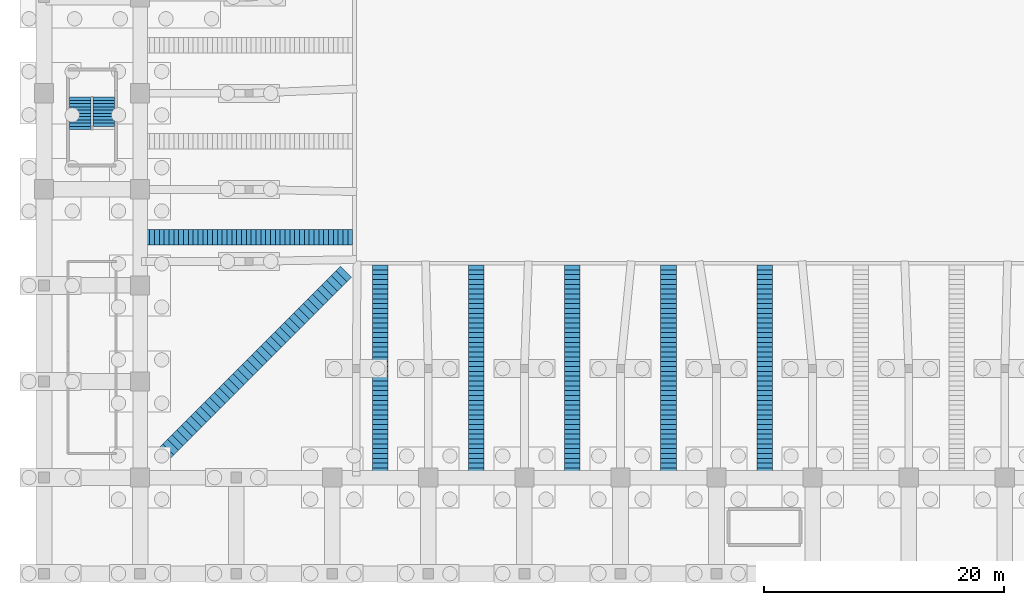
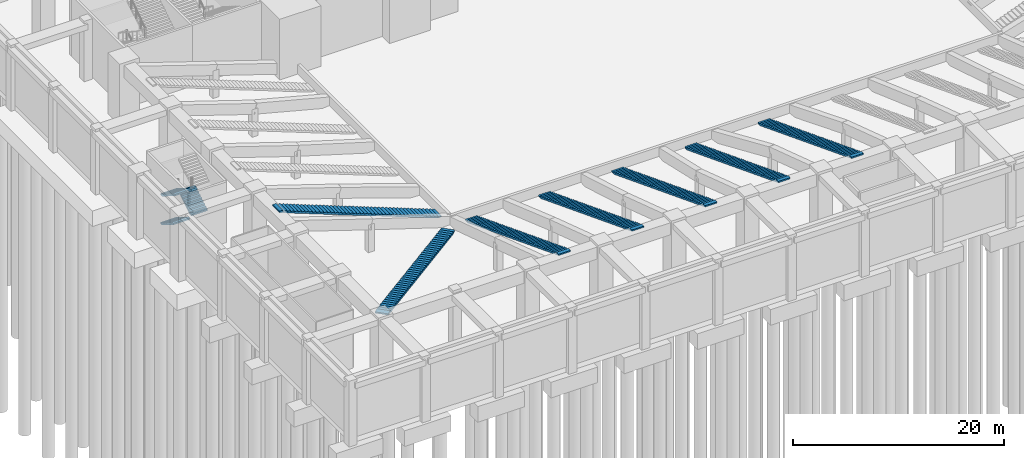
# One storey, part 14 of 30: 10 stair flights, 8 elements without a shape of their own.
"""IFC4 building model written with IfcOpenShell, lengths in metres."""

from ifc_helpers import new_model, si_unit, direction, frame, origin, place, context, subcontext, project, spatial, polyline, outline, extrude, material, type_object, element, aggregate, save


model = new_model("IFC4")

# Units and contexts
model_context = context("Model", 3, precision=1e-05, world=origin(), true_north=direction((0.0, 1.0)))
body_context = subcontext(model_context, "Body", "Model", "MODEL_VIEW")
ifc_project = project(units=[si_unit("LENGTHUNIT", "METRE"), si_unit("AREAUNIT", "SQUARE_METRE"), si_unit("VOLUMEUNIT", "CUBIC_METRE"), si_unit("PLANEANGLEUNIT", "RADIAN"), si_unit("MASSUNIT", "GRAM", prefix="KILO")], contexts=[model_context])

# Site, building, storey
site_placement = place(None, origin())
site = spatial("IfcSite", under=ifc_project, at=site_placement, CompositionType="ELEMENT")
building_placement = place(site_placement, origin())
building = spatial("IfcBuilding", under=site, at=building_placement, Name="Isbrekke Arena Tower", CompositionType="ELEMENT")
storey_placement = place(building_placement, frame((0.0, 0.0, -7.0)))
storey = spatial("IfcBuildingStorey", under=building, at=storey_placement, Name="B1", CompositionType="ELEMENT", Elevation=-7.0)

# Stair, stair flight
ifc_material_1 = material(Name="Concrete B45 (C45/55) precast", Category="concrete")
stair_type_1 = type_object("IfcStairType", Name="AS402 AISLE STAIR 1300 WIDE, 45 RISERS 155", PredefinedType="STRAIGHT_RUN_STAIR", material=ifc_material_1)
stair_1_placement = place(storey_placement, origin())
stair_1 = element("IfcStair", 1, at=stair_1_placement, inside=storey, type_object=stair_type_1, Name="AW46 aisle stair", PredefinedType="STRAIGHT_RUN_STAIR")
ifc_material_2 = material(Name="Concrete B45 (C45/55) precast", Category="concrete")
stair_flight_type_1 = type_object("IfcStairFlightType", Name="AF 1300 AISLE FLIGHT 402", PredefinedType="STRAIGHT", material=ifc_material_2)
stair_flight_1_placement = place(storey_placement, frame((-30.300048828125, -46.0, 0.0), z_axis=(0.0, 0.0, 1.0), x_axis=(-1.0, 0.0, 0.0)))
stair_flight_1 = element("IfcStairFlight", 2, at=stair_flight_1_placement, type_object=stair_flight_type_1, Name="AW46 flight 1", NumberOfRisers=45, NumberOfTreads=44, PredefinedType="STRAIGHT", RiserHeight=0.155555556, TreadLength=0.4023, context=body_context, shape_type="SweptSolid", body=[
    extrude(outline(polyline([(0.0, 0.0), (0.0, 0.155517578125), (0.40234375, 0.155517578125), (0.40234375, 0.31103515625), (0.8046875, 0.31103515625), (0.8046875, 0.466552734375), (1.206787109375, 0.466552734375), (1.206787109375, 0.622314453125), (1.609130859375, 0.622314453125), (1.609130859375, 0.77783203125), (2.011474609375, 0.77783203125), (2.011474609375, 0.933349609375), (2.413818359375, 0.933349609375), (2.413818359375, 1.0888671875), (2.816162109375, 1.0888671875), (2.816162109375, 1.244384765625), (3.218505859375, 1.244384765625), (3.218505859375, 1.39990234375), (3.62060546875, 1.39990234375), (3.62060546875, 1.5556640625), (4.02294921875, 1.5556640625), (4.02294921875, 1.711181640625), (4.42529296875, 1.711181640625), (4.42529296875, 1.86669921875), (4.82763671875, 1.86669921875), (4.82763671875, 2.022216796875), (5.22998046875, 2.022216796875), (5.22998046875, 2.177734375), (5.632080078125, 2.177734375), (5.632080078125, 2.333251953125), (6.034423828125, 2.333251953125), (6.034423828125, 2.48876953125), (6.436767578125, 2.48876953125), (6.436767578125, 2.64453125), (6.839111328125, 2.64453125), (6.839111328125, 2.800048828125), (7.241455078125, 2.800048828125), (7.241455078125, 2.95556640625), (7.643798828125, 2.95556640625), (7.643798828125, 3.111083984375), (8.0458984375, 3.111083984375), (8.0458984375, 3.2666015625), (8.4482421875, 3.2666015625), (8.4482421875, 3.422119140625), (8.8505859375, 3.422119140625), (8.8505859375, 3.577880859375), (9.2529296875, 3.577880859375), (9.2529296875, 3.7333984375), (9.6552734375, 3.7333984375), (9.6552734375, 3.888916015625), (10.0576171875, 3.888916015625), (10.0576171875, 4.04443359375), (10.459716796875, 4.04443359375), (10.459716796875, 4.199951171875), (10.862060546875, 4.199951171875), (10.862060546875, 4.35546875), (11.264404296875, 4.35546875), (11.264404296875, 4.51123046875), (11.666748046875, 4.51123046875), (11.666748046875, 4.666748046875), (12.069091796875, 4.666748046875), (12.069091796875, 4.822265625), (12.47119140625, 4.822265625), (12.47119140625, 4.977783203125), (12.87353515625, 4.977783203125), (12.87353515625, 5.13330078125), (13.27587890625, 5.13330078125), (13.27587890625, 5.288818359375), (13.67822265625, 5.288818359375), (13.67822265625, 5.4443359375), (14.08056640625, 5.4443359375), (14.08056640625, 5.60009765625), (14.48291015625, 5.60009765625), (14.48291015625, 5.755615234375), (14.885009765625, 5.755615234375), (14.885009765625, 5.9111328125), (15.287353515625, 5.9111328125), (15.287353515625, 6.066650390625), (15.689697265625, 6.066650390625), (15.689697265625, 6.22216796875), (16.092041015625, 6.22216796875), (16.092041015625, 6.377685546875), (16.494384765625, 6.377685546875), (16.494384765625, 6.533447265625), (16.896484375, 6.533447265625), (16.896484375, 6.68896484375), (17.298828125, 6.68896484375), (17.298828125, 6.844482421875), (17.701171875, 6.844482421875), (17.701171875, 7.0), (17.701171875, 6.683837890625), (0.415771484375, 0.0), (0.0, 0.0)])), frame((0.0, 0.64990234375, 0.0), z_axis=(0.0, -1.0, 0.0), x_axis=(1.0, 0.0, 0.0)), (0.0, 0.0, 1.0), 1.300048828125),
])
aggregate(stair_1, [stair_flight_1])

stair_2_placement = place(storey_placement, origin())
stair_2 = element("IfcStair", 3, at=stair_2_placement, inside=storey, type_object=stair_type_1, Name="AS-28 aisle stair", PredefinedType="STRAIGHT_RUN_STAIR")
stair_flight_2_placement = place(storey_placement, frame((-28.0, -48.300048828125, 0.0), z_axis=(0.0, 0.0, 1.0), x_axis=(0.0, -1.0, 0.0)))
stair_flight_2 = element("IfcStairFlight", 4, at=stair_flight_2_placement, type_object=stair_flight_type_1, Name="AS-28 flight 1", NumberOfRisers=45, NumberOfTreads=44, PredefinedType="STRAIGHT", RiserHeight=0.155555556, TreadLength=0.4023, context=body_context, shape_type="SweptSolid", body=[
    extrude(outline(polyline([(0.0, 0.0), (0.0, 0.155517578125), (0.40234375, 0.155517578125), (0.40234375, 0.31103515625), (0.8046875, 0.31103515625), (0.8046875, 0.466552734375), (1.206787109375, 0.466552734375), (1.206787109375, 0.622314453125), (1.609130859375, 0.622314453125), (1.609130859375, 0.77783203125), (2.011474609375, 0.77783203125), (2.011474609375, 0.933349609375), (2.413818359375, 0.933349609375), (2.413818359375, 1.0888671875), (2.816162109375, 1.0888671875), (2.816162109375, 1.244384765625), (3.218505859375, 1.244384765625), (3.218505859375, 1.39990234375), (3.62060546875, 1.39990234375), (3.62060546875, 1.5556640625), (4.02294921875, 1.5556640625), (4.02294921875, 1.711181640625), (4.42529296875, 1.711181640625), (4.42529296875, 1.86669921875), (4.82763671875, 1.86669921875), (4.82763671875, 2.022216796875), (5.22998046875, 2.022216796875), (5.22998046875, 2.177734375), (5.632080078125, 2.177734375), (5.632080078125, 2.333251953125), (6.034423828125, 2.333251953125), (6.034423828125, 2.48876953125), (6.436767578125, 2.48876953125), (6.436767578125, 2.64453125), (6.839111328125, 2.64453125), (6.839111328125, 2.800048828125), (7.241455078125, 2.800048828125), (7.241455078125, 2.95556640625), (7.643798828125, 2.95556640625), (7.643798828125, 3.111083984375), (8.0458984375, 3.111083984375), (8.0458984375, 3.2666015625), (8.4482421875, 3.2666015625), (8.4482421875, 3.422119140625), (8.8505859375, 3.422119140625), (8.8505859375, 3.577880859375), (9.2529296875, 3.577880859375), (9.2529296875, 3.7333984375), (9.6552734375, 3.7333984375), (9.6552734375, 3.888916015625), (10.0576171875, 3.888916015625), (10.0576171875, 4.04443359375), (10.459716796875, 4.04443359375), (10.459716796875, 4.199951171875), (10.862060546875, 4.199951171875), (10.862060546875, 4.35546875), (11.264404296875, 4.35546875), (11.264404296875, 4.51123046875), (11.666748046875, 4.51123046875), (11.666748046875, 4.666748046875), (12.069091796875, 4.666748046875), (12.069091796875, 4.822265625), (12.47119140625, 4.822265625), (12.47119140625, 4.977783203125), (12.87353515625, 4.977783203125), (12.87353515625, 5.13330078125), (13.27587890625, 5.13330078125), (13.27587890625, 5.288818359375), (13.67822265625, 5.288818359375), (13.67822265625, 5.4443359375), (14.08056640625, 5.4443359375), (14.08056640625, 5.60009765625), (14.48291015625, 5.60009765625), (14.48291015625, 5.755615234375), (14.885009765625, 5.755615234375), (14.885009765625, 5.9111328125), (15.287353515625, 5.9111328125), (15.287353515625, 6.066650390625), (15.689697265625, 6.066650390625), (15.689697265625, 6.22216796875), (16.092041015625, 6.22216796875), (16.092041015625, 6.377685546875), (16.494384765625, 6.377685546875), (16.494384765625, 6.533447265625), (16.896484375, 6.533447265625), (16.896484375, 6.68896484375), (17.298828125, 6.68896484375), (17.298828125, 6.844482421875), (17.701171875, 6.844482421875), (17.701171875, 7.0), (17.701171875, 6.683837890625), (0.415771484375, 0.0), (0.0, 0.0)])), frame((0.0, 0.64990234375, 0.0), z_axis=(0.0, -1.0, 0.0), x_axis=(1.0, 0.0, 0.0)), (0.0, 0.0, 1.0), 1.300048828125),
])
aggregate(stair_2, [stair_flight_2])

stair_3_placement = place(storey_placement, origin())
stair_3 = element("IfcStair", 5, at=stair_3_placement, inside=storey, type_object=stair_type_1, Name="AS-20 aisle stair", PredefinedType="STRAIGHT_RUN_STAIR")
stair_flight_3_placement = place(storey_placement, frame((-20.0, -48.300048828125, 0.0), z_axis=(0.0, 0.0, 1.0), x_axis=(0.0, -1.0, 0.0)))
stair_flight_3 = element("IfcStairFlight", 6, at=stair_flight_3_placement, type_object=stair_flight_type_1, Name="AS-20 flight 1", NumberOfRisers=45, NumberOfTreads=44, PredefinedType="STRAIGHT", RiserHeight=0.155555556, TreadLength=0.4023, context=body_context, shape_type="SweptSolid", body=[
    extrude(outline(polyline([(0.0, 0.0), (0.0, 0.155517578125), (0.40234375, 0.155517578125), (0.40234375, 0.31103515625), (0.8046875, 0.31103515625), (0.8046875, 0.466552734375), (1.206787109375, 0.466552734375), (1.206787109375, 0.622314453125), (1.609130859375, 0.622314453125), (1.609130859375, 0.77783203125), (2.011474609375, 0.77783203125), (2.011474609375, 0.933349609375), (2.413818359375, 0.933349609375), (2.413818359375, 1.0888671875), (2.816162109375, 1.0888671875), (2.816162109375, 1.244384765625), (3.218505859375, 1.244384765625), (3.218505859375, 1.39990234375), (3.62060546875, 1.39990234375), (3.62060546875, 1.5556640625), (4.02294921875, 1.5556640625), (4.02294921875, 1.711181640625), (4.42529296875, 1.711181640625), (4.42529296875, 1.86669921875), (4.82763671875, 1.86669921875), (4.82763671875, 2.022216796875), (5.22998046875, 2.022216796875), (5.22998046875, 2.177734375), (5.632080078125, 2.177734375), (5.632080078125, 2.333251953125), (6.034423828125, 2.333251953125), (6.034423828125, 2.48876953125), (6.436767578125, 2.48876953125), (6.436767578125, 2.64453125), (6.839111328125, 2.64453125), (6.839111328125, 2.800048828125), (7.241455078125, 2.800048828125), (7.241455078125, 2.95556640625), (7.643798828125, 2.95556640625), (7.643798828125, 3.111083984375), (8.0458984375, 3.111083984375), (8.0458984375, 3.2666015625), (8.4482421875, 3.2666015625), (8.4482421875, 3.422119140625), (8.8505859375, 3.422119140625), (8.8505859375, 3.577880859375), (9.2529296875, 3.577880859375), (9.2529296875, 3.7333984375), (9.6552734375, 3.7333984375), (9.6552734375, 3.888916015625), (10.0576171875, 3.888916015625), (10.0576171875, 4.04443359375), (10.459716796875, 4.04443359375), (10.459716796875, 4.199951171875), (10.862060546875, 4.199951171875), (10.862060546875, 4.35546875), (11.264404296875, 4.35546875), (11.264404296875, 4.51123046875), (11.666748046875, 4.51123046875), (11.666748046875, 4.666748046875), (12.069091796875, 4.666748046875), (12.069091796875, 4.822265625), (12.47119140625, 4.822265625), (12.47119140625, 4.977783203125), (12.87353515625, 4.977783203125), (12.87353515625, 5.13330078125), (13.27587890625, 5.13330078125), (13.27587890625, 5.288818359375), (13.67822265625, 5.288818359375), (13.67822265625, 5.4443359375), (14.08056640625, 5.4443359375), (14.08056640625, 5.60009765625), (14.48291015625, 5.60009765625), (14.48291015625, 5.755615234375), (14.885009765625, 5.755615234375), (14.885009765625, 5.9111328125), (15.287353515625, 5.9111328125), (15.287353515625, 6.066650390625), (15.689697265625, 6.066650390625), (15.689697265625, 6.22216796875), (16.092041015625, 6.22216796875), (16.092041015625, 6.377685546875), (16.494384765625, 6.377685546875), (16.494384765625, 6.533447265625), (16.896484375, 6.533447265625), (16.896484375, 6.68896484375), (17.298828125, 6.68896484375), (17.298828125, 6.844482421875), (17.701171875, 6.844482421875), (17.701171875, 7.0), (17.701171875, 6.683837890625), (0.415771484375, 0.0), (0.0, 0.0)])), frame((0.0, 0.64990234375, 0.0), z_axis=(0.0, -1.0, 0.0), x_axis=(1.0, 0.0, 0.0)), (0.0, 0.0, 1.0), 1.300048828125),
])
aggregate(stair_3, [stair_flight_3])

stair_4_placement = place(storey_placement, origin())
stair_4 = element("IfcStair", 7, at=stair_4_placement, inside=storey, type_object=stair_type_1, Name="AS-12 aisle stair", PredefinedType="STRAIGHT_RUN_STAIR")
stair_flight_4_placement = place(storey_placement, frame((-12.0, -48.300048828125, 0.0), z_axis=(0.0, 0.0, 1.0), x_axis=(0.0, -1.0, 0.0)))
stair_flight_4 = element("IfcStairFlight", 8, at=stair_flight_4_placement, type_object=stair_flight_type_1, Name="AS-12 flight 1", NumberOfRisers=45, NumberOfTreads=44, PredefinedType="STRAIGHT", RiserHeight=0.155555556, TreadLength=0.4023, context=body_context, shape_type="SweptSolid", body=[
    extrude(outline(polyline([(0.0, 0.0), (0.0, 0.155517578125), (0.40234375, 0.155517578125), (0.40234375, 0.31103515625), (0.8046875, 0.31103515625), (0.8046875, 0.466552734375), (1.206787109375, 0.466552734375), (1.206787109375, 0.622314453125), (1.609130859375, 0.622314453125), (1.609130859375, 0.77783203125), (2.011474609375, 0.77783203125), (2.011474609375, 0.933349609375), (2.413818359375, 0.933349609375), (2.413818359375, 1.0888671875), (2.816162109375, 1.0888671875), (2.816162109375, 1.244384765625), (3.218505859375, 1.244384765625), (3.218505859375, 1.39990234375), (3.62060546875, 1.39990234375), (3.62060546875, 1.5556640625), (4.02294921875, 1.5556640625), (4.02294921875, 1.711181640625), (4.42529296875, 1.711181640625), (4.42529296875, 1.86669921875), (4.82763671875, 1.86669921875), (4.82763671875, 2.022216796875), (5.22998046875, 2.022216796875), (5.22998046875, 2.177734375), (5.632080078125, 2.177734375), (5.632080078125, 2.333251953125), (6.034423828125, 2.333251953125), (6.034423828125, 2.48876953125), (6.436767578125, 2.48876953125), (6.436767578125, 2.64453125), (6.839111328125, 2.64453125), (6.839111328125, 2.800048828125), (7.241455078125, 2.800048828125), (7.241455078125, 2.95556640625), (7.643798828125, 2.95556640625), (7.643798828125, 3.111083984375), (8.0458984375, 3.111083984375), (8.0458984375, 3.2666015625), (8.4482421875, 3.2666015625), (8.4482421875, 3.422119140625), (8.8505859375, 3.422119140625), (8.8505859375, 3.577880859375), (9.2529296875, 3.577880859375), (9.2529296875, 3.7333984375), (9.6552734375, 3.7333984375), (9.6552734375, 3.888916015625), (10.0576171875, 3.888916015625), (10.0576171875, 4.04443359375), (10.459716796875, 4.04443359375), (10.459716796875, 4.199951171875), (10.862060546875, 4.199951171875), (10.862060546875, 4.35546875), (11.264404296875, 4.35546875), (11.264404296875, 4.51123046875), (11.666748046875, 4.51123046875), (11.666748046875, 4.666748046875), (12.069091796875, 4.666748046875), (12.069091796875, 4.822265625), (12.47119140625, 4.822265625), (12.47119140625, 4.977783203125), (12.87353515625, 4.977783203125), (12.87353515625, 5.13330078125), (13.27587890625, 5.13330078125), (13.27587890625, 5.288818359375), (13.67822265625, 5.288818359375), (13.67822265625, 5.4443359375), (14.08056640625, 5.4443359375), (14.08056640625, 5.60009765625), (14.48291015625, 5.60009765625), (14.48291015625, 5.755615234375), (14.885009765625, 5.755615234375), (14.885009765625, 5.9111328125), (15.287353515625, 5.9111328125), (15.287353515625, 6.066650390625), (15.689697265625, 6.066650390625), (15.689697265625, 6.22216796875), (16.092041015625, 6.22216796875), (16.092041015625, 6.377685546875), (16.494384765625, 6.377685546875), (16.494384765625, 6.533447265625), (16.896484375, 6.533447265625), (16.896484375, 6.68896484375), (17.298828125, 6.68896484375), (17.298828125, 6.844482421875), (17.701171875, 6.844482421875), (17.701171875, 7.0), (17.701171875, 6.683837890625), (0.415771484375, 0.0), (0.0, 0.0)])), frame((0.0, 0.64990234375, 0.0), z_axis=(0.0, -1.0, 0.0), x_axis=(1.0, 0.0, 0.0)), (0.0, 0.0, 1.0), 1.300048828125),
])
aggregate(stair_4, [stair_flight_4])

stair_5_placement = place(storey_placement, origin())
stair_5 = element("IfcStair", 9, at=stair_5_placement, inside=storey, type_object=stair_type_1, Name="AS-4 aisle stair", PredefinedType="STRAIGHT_RUN_STAIR")
stair_flight_5_placement = place(storey_placement, frame((-4.0, -48.300048828125, 0.0), z_axis=(0.0, 0.0, 1.0), x_axis=(0.0, -1.0, 0.0)))
stair_flight_5 = element("IfcStairFlight", 10, at=stair_flight_5_placement, type_object=stair_flight_type_1, Name="AS-4 flight 1", NumberOfRisers=45, NumberOfTreads=44, PredefinedType="STRAIGHT", RiserHeight=0.155555556, TreadLength=0.4023, context=body_context, shape_type="SweptSolid", body=[
    extrude(outline(polyline([(0.0, 0.0), (0.0, 0.155517578125), (0.40234375, 0.155517578125), (0.40234375, 0.31103515625), (0.8046875, 0.31103515625), (0.8046875, 0.466552734375), (1.206787109375, 0.466552734375), (1.206787109375, 0.622314453125), (1.609130859375, 0.622314453125), (1.609130859375, 0.77783203125), (2.011474609375, 0.77783203125), (2.011474609375, 0.933349609375), (2.413818359375, 0.933349609375), (2.413818359375, 1.0888671875), (2.816162109375, 1.0888671875), (2.816162109375, 1.244384765625), (3.218505859375, 1.244384765625), (3.218505859375, 1.39990234375), (3.62060546875, 1.39990234375), (3.62060546875, 1.5556640625), (4.02294921875, 1.5556640625), (4.02294921875, 1.711181640625), (4.42529296875, 1.711181640625), (4.42529296875, 1.86669921875), (4.82763671875, 1.86669921875), (4.82763671875, 2.022216796875), (5.22998046875, 2.022216796875), (5.22998046875, 2.177734375), (5.632080078125, 2.177734375), (5.632080078125, 2.333251953125), (6.034423828125, 2.333251953125), (6.034423828125, 2.48876953125), (6.436767578125, 2.48876953125), (6.436767578125, 2.64453125), (6.839111328125, 2.64453125), (6.839111328125, 2.800048828125), (7.241455078125, 2.800048828125), (7.241455078125, 2.95556640625), (7.643798828125, 2.95556640625), (7.643798828125, 3.111083984375), (8.0458984375, 3.111083984375), (8.0458984375, 3.2666015625), (8.4482421875, 3.2666015625), (8.4482421875, 3.422119140625), (8.8505859375, 3.422119140625), (8.8505859375, 3.577880859375), (9.2529296875, 3.577880859375), (9.2529296875, 3.7333984375), (9.6552734375, 3.7333984375), (9.6552734375, 3.888916015625), (10.0576171875, 3.888916015625), (10.0576171875, 4.04443359375), (10.459716796875, 4.04443359375), (10.459716796875, 4.199951171875), (10.862060546875, 4.199951171875), (10.862060546875, 4.35546875), (11.264404296875, 4.35546875), (11.264404296875, 4.51123046875), (11.666748046875, 4.51123046875), (11.666748046875, 4.666748046875), (12.069091796875, 4.666748046875), (12.069091796875, 4.822265625), (12.47119140625, 4.822265625), (12.47119140625, 4.977783203125), (12.87353515625, 4.977783203125), (12.87353515625, 5.13330078125), (13.27587890625, 5.13330078125), (13.27587890625, 5.288818359375), (13.67822265625, 5.288818359375), (13.67822265625, 5.4443359375), (14.08056640625, 5.4443359375), (14.08056640625, 5.60009765625), (14.48291015625, 5.60009765625), (14.48291015625, 5.755615234375), (14.885009765625, 5.755615234375), (14.885009765625, 5.9111328125), (15.287353515625, 5.9111328125), (15.287353515625, 6.066650390625), (15.689697265625, 6.066650390625), (15.689697265625, 6.22216796875), (16.092041015625, 6.22216796875), (16.092041015625, 6.377685546875), (16.494384765625, 6.377685546875), (16.494384765625, 6.533447265625), (16.896484375, 6.533447265625), (16.896484375, 6.68896484375), (17.298828125, 6.68896484375), (17.298828125, 6.844482421875), (17.701171875, 6.844482421875), (17.701171875, 7.0), (17.701171875, 6.683837890625), (0.415771484375, 0.0), (0.0, 0.0)])), frame((0.0, 0.64990234375, 0.0), z_axis=(0.0, -1.0, 0.0), x_axis=(1.0, 0.0, 0.0)), (0.0, 0.0, 1.0), 1.300048828125),
])
aggregate(stair_5, [stair_flight_5])

stair_6_placement = place(storey_placement, origin())
stair_6 = element("IfcStair", 11, at=stair_6_placement, inside=storey, type_object=stair_type_1, Name="AS+4 aisle stair", PredefinedType="STRAIGHT_RUN_STAIR")
stair_flight_6_placement = place(storey_placement, frame((4.0, -48.300048828125, 0.0), z_axis=(0.0, 0.0, 1.0), x_axis=(0.0, -1.0, 0.0)))
stair_flight_6 = element("IfcStairFlight", 12, at=stair_flight_6_placement, type_object=stair_flight_type_1, Name="AS+4 flight 1", NumberOfRisers=45, NumberOfTreads=44, PredefinedType="STRAIGHT", RiserHeight=0.155555556, TreadLength=0.4023, context=body_context, shape_type="SweptSolid", body=[
    extrude(outline(polyline([(0.0, 0.0), (0.0, 0.155517578125), (0.40234375, 0.155517578125), (0.40234375, 0.31103515625), (0.8046875, 0.31103515625), (0.8046875, 0.466552734375), (1.206787109375, 0.466552734375), (1.206787109375, 0.622314453125), (1.609130859375, 0.622314453125), (1.609130859375, 0.77783203125), (2.011474609375, 0.77783203125), (2.011474609375, 0.933349609375), (2.413818359375, 0.933349609375), (2.413818359375, 1.0888671875), (2.816162109375, 1.0888671875), (2.816162109375, 1.244384765625), (3.218505859375, 1.244384765625), (3.218505859375, 1.39990234375), (3.62060546875, 1.39990234375), (3.62060546875, 1.5556640625), (4.02294921875, 1.5556640625), (4.02294921875, 1.711181640625), (4.42529296875, 1.711181640625), (4.42529296875, 1.86669921875), (4.82763671875, 1.86669921875), (4.82763671875, 2.022216796875), (5.22998046875, 2.022216796875), (5.22998046875, 2.177734375), (5.632080078125, 2.177734375), (5.632080078125, 2.333251953125), (6.034423828125, 2.333251953125), (6.034423828125, 2.48876953125), (6.436767578125, 2.48876953125), (6.436767578125, 2.64453125), (6.839111328125, 2.64453125), (6.839111328125, 2.800048828125), (7.241455078125, 2.800048828125), (7.241455078125, 2.95556640625), (7.643798828125, 2.95556640625), (7.643798828125, 3.111083984375), (8.0458984375, 3.111083984375), (8.0458984375, 3.2666015625), (8.4482421875, 3.2666015625), (8.4482421875, 3.422119140625), (8.8505859375, 3.422119140625), (8.8505859375, 3.577880859375), (9.2529296875, 3.577880859375), (9.2529296875, 3.7333984375), (9.6552734375, 3.7333984375), (9.6552734375, 3.888916015625), (10.0576171875, 3.888916015625), (10.0576171875, 4.04443359375), (10.459716796875, 4.04443359375), (10.459716796875, 4.199951171875), (10.862060546875, 4.199951171875), (10.862060546875, 4.35546875), (11.264404296875, 4.35546875), (11.264404296875, 4.51123046875), (11.666748046875, 4.51123046875), (11.666748046875, 4.666748046875), (12.069091796875, 4.666748046875), (12.069091796875, 4.822265625), (12.47119140625, 4.822265625), (12.47119140625, 4.977783203125), (12.87353515625, 4.977783203125), (12.87353515625, 5.13330078125), (13.27587890625, 5.13330078125), (13.27587890625, 5.288818359375), (13.67822265625, 5.288818359375), (13.67822265625, 5.4443359375), (14.08056640625, 5.4443359375), (14.08056640625, 5.60009765625), (14.48291015625, 5.60009765625), (14.48291015625, 5.755615234375), (14.885009765625, 5.755615234375), (14.885009765625, 5.9111328125), (15.287353515625, 5.9111328125), (15.287353515625, 6.066650390625), (15.689697265625, 6.066650390625), (15.689697265625, 6.22216796875), (16.092041015625, 6.22216796875), (16.092041015625, 6.377685546875), (16.494384765625, 6.377685546875), (16.494384765625, 6.533447265625), (16.896484375, 6.533447265625), (16.896484375, 6.68896484375), (17.298828125, 6.68896484375), (17.298828125, 6.844482421875), (17.701171875, 6.844482421875), (17.701171875, 7.0), (17.701171875, 6.683837890625), (0.415771484375, 0.0), (0.0, 0.0)])), frame((0.0, 0.64990234375, 0.0), z_axis=(0.0, -1.0, 0.0), x_axis=(1.0, 0.0, 0.0)), (0.0, 0.0, 1.0), 1.300048828125),
])
aggregate(stair_6, [stair_flight_6])

ifc_material_3 = material(Name="Concrete B45 (C45/55) precast", Category="concrete")
stair_type_2 = type_object("IfcStairType", Name="AS551 AISLE STAIR 1300 WIDE, 45 RISERS 155", PredefinedType="STRAIGHT_RUN_STAIR", material=ifc_material_3)
stair_7_placement = place(storey_placement, origin())
stair_7 = element("IfcStair", 13, at=stair_7_placement, inside=storey, type_object=stair_type_2, Name="ASW aisle stair", PredefinedType="STRAIGHT_RUN_STAIR")
ifc_material_4 = material(Name="Concrete B45 (C45/55) precast", Category="concrete")
stair_flight_type_2 = type_object("IfcStairFlightType", Name="AF 1300 AISLE FLIGHT 551", PredefinedType="STRAIGHT", material=ifc_material_4)
stair_flight_7_placement = place(storey_placement, frame((-30.85009765625, -48.85009765625, 0.0), z_axis=(0.0, 0.0, 1.0), x_axis=(-0.707106781187, -0.707106781187, 0.0)))
stair_flight_7 = element("IfcStairFlight", 14, at=stair_flight_7_placement, type_object=stair_flight_type_2, Name="ASW flight 1", NumberOfRisers=45, NumberOfTreads=44, PredefinedType="STRAIGHT", RiserHeight=0.155555556, TreadLength=0.5512, context=body_context, shape_type="SweptSolid", body=[
    extrude(outline(polyline([(0.0, 0.0), (0.0, 0.155517578125), (0.55126953125, 0.155517578125), (0.55126953125, 0.31103515625), (1.102294921875, 0.31103515625), (1.102294921875, 0.466552734375), (1.653564453125, 0.466552734375), (1.653564453125, 0.622314453125), (2.204833984375, 0.622314453125), (2.204833984375, 0.77783203125), (2.756103515625, 0.77783203125), (2.756103515625, 0.933349609375), (3.30712890625, 0.933349609375), (3.30712890625, 1.0888671875), (3.8583984375, 1.0888671875), (3.8583984375, 1.244384765625), (4.40966796875, 1.244384765625), (4.40966796875, 1.39990234375), (4.960693359375, 1.39990234375), (4.960693359375, 1.5556640625), (5.511962890625, 1.5556640625), (5.511962890625, 1.711181640625), (6.063232421875, 1.711181640625), (6.063232421875, 1.86669921875), (6.614501953125, 1.86669921875), (6.614501953125, 2.022216796875), (7.16552734375, 2.022216796875), (7.16552734375, 2.177734375), (7.716796875, 2.177734375), (7.716796875, 2.333251953125), (8.26806640625, 2.333251953125), (8.26806640625, 2.48876953125), (8.819091796875, 2.48876953125), (8.819091796875, 2.64453125), (9.370361328125, 2.64453125), (9.370361328125, 2.800048828125), (9.921630859375, 2.800048828125), (9.921630859375, 2.95556640625), (10.472900390625, 2.95556640625), (10.472900390625, 3.111083984375), (11.02392578125, 3.111083984375), (11.02392578125, 3.2666015625), (11.5751953125, 3.2666015625), (11.5751953125, 3.422119140625), (12.12646484375, 3.422119140625), (12.12646484375, 3.577880859375), (12.677490234375, 3.577880859375), (12.677490234375, 3.7333984375), (13.228759765625, 3.7333984375), (13.228759765625, 3.888916015625), (13.780029296875, 3.888916015625), (13.780029296875, 4.04443359375), (14.331298828125, 4.04443359375), (14.331298828125, 4.199951171875), (14.88232421875, 4.199951171875), (14.88232421875, 4.35546875), (15.43359375, 4.35546875), (15.43359375, 4.51123046875), (15.98486328125, 4.51123046875), (15.98486328125, 4.666748046875), (16.535888671875, 4.666748046875), (16.535888671875, 4.822265625), (17.087158203125, 4.822265625), (17.087158203125, 4.977783203125), (17.638427734375, 4.977783203125), (17.638427734375, 5.13330078125), (18.189697265625, 5.13330078125), (18.189697265625, 5.288818359375), (18.74072265625, 5.288818359375), (18.74072265625, 5.4443359375), (19.2919921875, 5.4443359375), (19.2919921875, 5.60009765625), (19.84326171875, 5.60009765625), (19.84326171875, 5.755615234375), (20.394287109375, 5.755615234375), (20.394287109375, 5.9111328125), (20.945556640625, 5.9111328125), (20.945556640625, 6.066650390625), (21.496826171875, 6.066650390625), (21.496826171875, 6.22216796875), (22.048095703125, 6.22216796875), (22.048095703125, 6.377685546875), (22.59912109375, 6.377685546875), (22.59912109375, 6.533447265625), (23.150390625, 6.533447265625), (23.150390625, 6.68896484375), (23.70166015625, 6.68896484375), (23.70166015625, 6.844482421875), (24.252685546875, 6.844482421875), (24.252685546875, 7.0), (24.252685546875, 6.688720703125), (0.552001953125, 0.0), (0.0, 0.0)])), frame((0.0, 0.64990234375, 0.0), z_axis=(0.0, -1.0, 0.0), x_axis=(1.0, 0.0, 0.0)), (0.0, 0.0, 1.0), 1.300048828125),
])
aggregate(stair_7, [stair_flight_7])

# Stair, stair flights
ifc_material_5 = material(Name="Concrete B45 (C45/55) precast", Category="concrete")
stair_type_3 = type_object("IfcStairType", Name="ST70 STAIR 1800 WIDE, 42 RISERS 167", PredefinedType="HALF_TURN_STAIR", material=ifc_material_5)
stair_8_placement = place(storey_placement, origin())
stair_8 = element("IfcStair", 15, at=stair_8_placement, inside=storey, type_object=stair_type_3, Name="P4 stair B1", PredefinedType="HALF_TURN_STAIR")
ifc_material_6 = material(Name="Concrete B45 (C45/55) precast", Category="concrete")
stair_flight_type_3 = type_object("IfcStairFlightType", Name="SF 1800 FLIGHT", PredefinedType="STRAIGHT", material=ifc_material_6)
stair_flight_8_placement = place(storey_placement, frame((-52.97509765625, -34.324951171875, 0.0), z_axis=(0.0, 0.0, 1.0), x_axis=(0.0, -1.0, 0.0)))
stair_flight_8 = element("IfcStairFlight", 16, at=stair_flight_8_placement, type_object=stair_flight_type_3, Name="P4 flight 1", NumberOfRisers=10, NumberOfTreads=9, PredefinedType="STRAIGHT", RiserHeight=0.166666667, TreadLength=0.27, context=body_context, shape_type="SweptSolid", body=[
    extrude(outline(polyline([(0.0, 0.0), (0.0, 0.166748046875), (0.27001953125, 0.166748046875), (0.27001953125, 0.333251953125), (0.5400390625, 0.333251953125), (0.5400390625, 0.5), (0.81005859375, 0.5), (0.81005859375, 0.666748046875), (1.080078125, 0.666748046875), (1.080078125, 0.833251953125), (1.35009765625, 0.833251953125), (1.35009765625, 1.0), (1.6201171875, 1.0), (1.6201171875, 1.166748046875), (1.889892578125, 1.166748046875), (1.889892578125, 1.333251953125), (2.159912109375, 1.333251953125), (2.159912109375, 1.5), (2.429931640625, 1.5), (2.429931640625, 1.666748046875), (2.429931640625, 1.32373046875), (0.285400390625, 0.0), (0.0, 0.0)])), frame((0.0, 0.89990234375, 0.0), z_axis=(0.0, -1.0, 0.0), x_axis=(1.0, 0.0, 0.0)), (0.0, 0.0, 1.0), 0.90087890625),
    extrude(outline(polyline([(0.0, 0.0), (0.0, 0.166748046875), (0.27001953125, 0.166748046875), (0.27001953125, 0.333251953125), (0.5400390625, 0.333251953125), (0.5400390625, 0.5), (0.81005859375, 0.5), (0.81005859375, 0.666748046875), (1.080078125, 0.666748046875), (1.080078125, 0.833251953125), (1.35009765625, 0.833251953125), (1.35009765625, 1.0), (1.6201171875, 1.0), (1.6201171875, 1.166748046875), (1.889892578125, 1.166748046875), (1.889892578125, 1.333251953125), (2.159912109375, 1.333251953125), (2.159912109375, 1.5), (2.429931640625, 1.5), (2.429931640625, 1.666748046875), (2.429931640625, 1.32373046875), (0.285400390625, 0.0), (0.0, 0.0)])), frame((0.0, 0.0009765625, 0.0), z_axis=(0.0, -1.0, 0.0), x_axis=(1.0, 0.0, 0.0)), (0.0, 0.0, 1.0), 0.90087890625),
])
stair_flight_9_placement = place(storey_placement, frame((-51.02490234375, -36.7548828125, 1.666748046875), z_axis=(0.0, 0.0, 1.0), x_axis=(0.0, 1.0, 0.0)))
stair_flight_9 = element("IfcStairFlight", 17, at=stair_flight_9_placement, type_object=stair_flight_type_3, Name="P4 flight 2", NumberOfRisers=10, NumberOfTreads=9, PredefinedType="STRAIGHT", RiserHeight=0.166666667, TreadLength=0.27, context=body_context, shape_type="SweptSolid", body=[
    extrude(outline(polyline([(0.0, 0.0), (0.0, 0.166748046875), (0.27001953125, 0.166748046875), (0.27001953125, 0.333251953125), (0.5400390625, 0.333251953125), (0.5400390625, 0.5), (0.81005859375, 0.5), (0.81005859375, 0.666748046875), (1.080078125, 0.666748046875), (1.080078125, 0.833251953125), (1.35009765625, 0.833251953125), (1.35009765625, 1.0), (1.6201171875, 1.0), (1.6201171875, 1.166748046875), (1.889892578125, 1.166748046875), (1.889892578125, 1.333251953125), (2.159912109375, 1.333251953125), (2.159912109375, 1.5), (2.429931640625, 1.5), (2.429931640625, 1.666748046875), (2.429931640625, 1.32373046875), (0.285400390625, 0.0), (0.0, 0.0)])), frame((0.0, 0.89990234375, 0.0), z_axis=(0.0, -1.0, 0.0), x_axis=(1.0, 0.0, 0.0)), (0.0, 0.0, 1.0), 0.90087890625),
    extrude(outline(polyline([(0.0, 0.0), (0.0, 0.166748046875), (0.27001953125, 0.166748046875), (0.27001953125, 0.333251953125), (0.5400390625, 0.333251953125), (0.5400390625, 0.5), (0.81005859375, 0.5), (0.81005859375, 0.666748046875), (1.080078125, 0.666748046875), (1.080078125, 0.833251953125), (1.35009765625, 0.833251953125), (1.35009765625, 1.0), (1.6201171875, 1.0), (1.6201171875, 1.166748046875), (1.889892578125, 1.166748046875), (1.889892578125, 1.333251953125), (2.159912109375, 1.333251953125), (2.159912109375, 1.5), (2.429931640625, 1.5), (2.429931640625, 1.666748046875), (2.429931640625, 1.32373046875), (0.285400390625, 0.0), (0.0, 0.0)])), frame((0.0, 0.0009765625, 0.0), z_axis=(0.0, -1.0, 0.0), x_axis=(1.0, 0.0, 0.0)), (0.0, 0.0, 1.0), 0.90087890625),
])
stair_flight_10_placement = place(storey_placement, frame((-52.97509765625, -34.324951171875, 3.333251953125), z_axis=(0.0, 0.0, 1.0), x_axis=(0.0, -1.0, 0.0)))
stair_flight_10 = element("IfcStairFlight", 18, at=stair_flight_10_placement, type_object=stair_flight_type_3, Name="P4 flight 3", NumberOfRisers=11, NumberOfTreads=10, PredefinedType="STRAIGHT", RiserHeight=0.166666667, TreadLength=0.27, context=body_context, shape_type="SweptSolid", body=[
    extrude(outline(polyline([(0.0, 0.0), (0.0, 0.166748046875), (0.27001953125, 0.166748046875), (0.27001953125, 0.333251953125), (0.5400390625, 0.333251953125), (0.5400390625, 0.5), (0.81005859375, 0.5), (0.81005859375, 0.666748046875), (1.080078125, 0.666748046875), (1.080078125, 0.833251953125), (1.35009765625, 0.833251953125), (1.35009765625, 1.0), (1.6201171875, 1.0), (1.6201171875, 1.166748046875), (1.889892578125, 1.166748046875), (1.889892578125, 1.333251953125), (2.159912109375, 1.333251953125), (2.159912109375, 1.5), (2.429931640625, 1.5), (2.429931640625, 1.666748046875), (2.699951171875, 1.666748046875), (2.699951171875, 1.833251953125), (2.699951171875, 1.490478515625), (0.285400390625, 0.0), (0.0, 0.0)])), frame((0.0, 0.89990234375, 0.0), z_axis=(0.0, -1.0, 0.0), x_axis=(1.0, 0.0, 0.0)), (0.0, 0.0, 1.0), 0.90087890625),
    extrude(outline(polyline([(0.0, 0.0), (0.0, 0.166748046875), (0.27001953125, 0.166748046875), (0.27001953125, 0.333251953125), (0.5400390625, 0.333251953125), (0.5400390625, 0.5), (0.81005859375, 0.5), (0.81005859375, 0.666748046875), (1.080078125, 0.666748046875), (1.080078125, 0.833251953125), (1.35009765625, 0.833251953125), (1.35009765625, 1.0), (1.6201171875, 1.0), (1.6201171875, 1.166748046875), (1.889892578125, 1.166748046875), (1.889892578125, 1.333251953125), (2.159912109375, 1.333251953125), (2.159912109375, 1.5), (2.429931640625, 1.5), (2.429931640625, 1.666748046875), (2.699951171875, 1.666748046875), (2.699951171875, 1.833251953125), (2.699951171875, 1.490478515625), (0.285400390625, 0.0), (0.0, 0.0)])), frame((0.0, 0.0009765625, 0.0), z_axis=(0.0, -1.0, 0.0), x_axis=(1.0, 0.0, 0.0)), (0.0, 0.0, 1.0), 0.90087890625),
])
aggregate(stair_8, [stair_flight_8, stair_flight_9, stair_flight_10])

save(model, "model.ifc")
